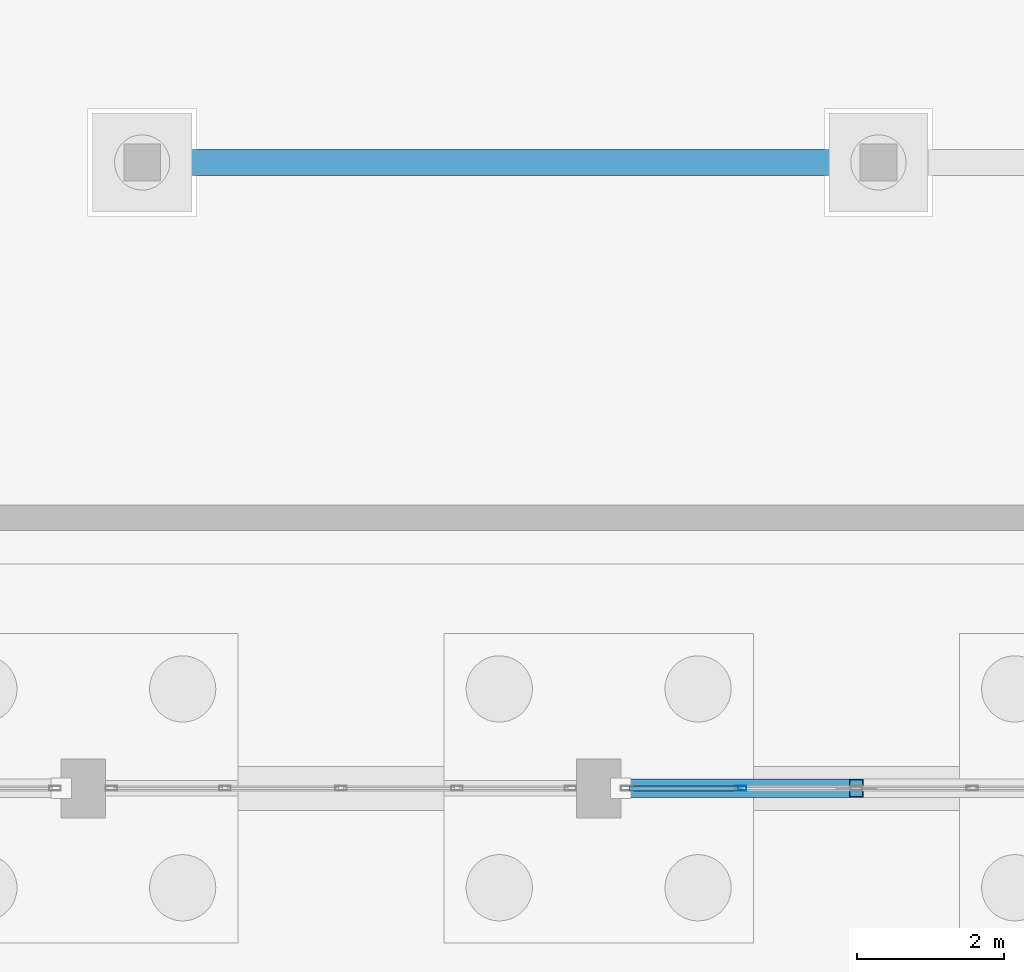
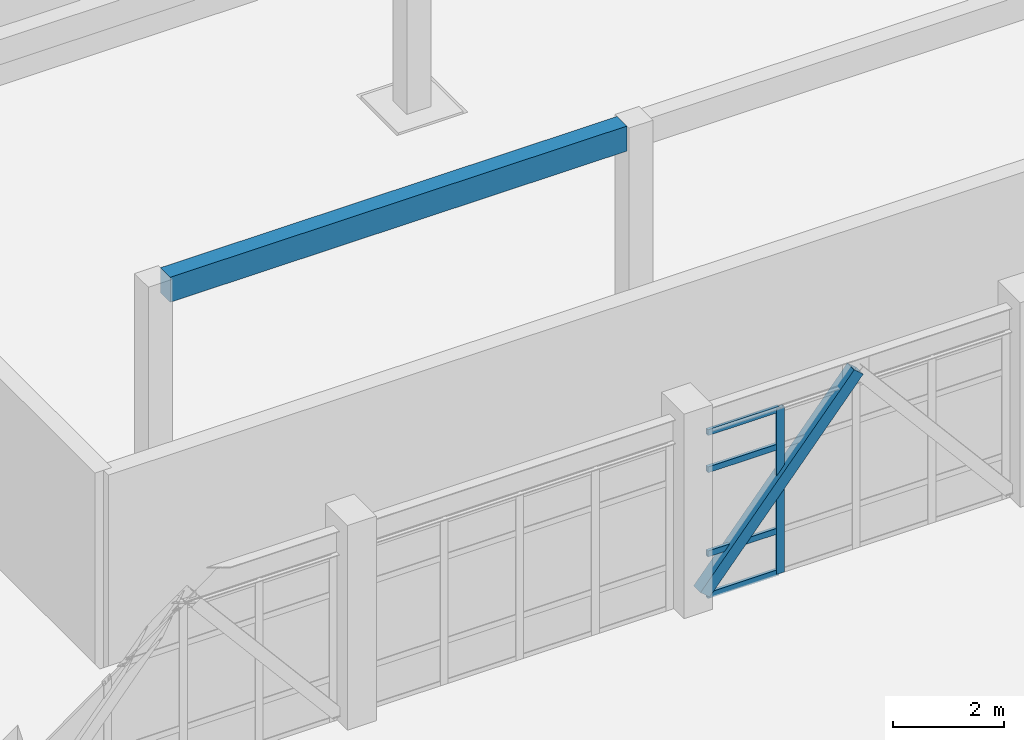
# One storey, part 24 of 154: 6 members, 1 beam, 1 element without a shape of its own.
"""IFC4 building model written with IfcOpenShell, lengths in metres."""

from ifc_helpers import new_model, si_unit, direction, frame, origin, origin_2d, place, context, subcontext, project, spatial, rectangle, hollow_rectangle, extrude, material, material_profile, profile_set, type_object, element, aggregate, save


model = new_model("IFC4")

# Units and contexts
model_context = context("Model", 3, precision=1e-05, world=origin(), true_north=direction((0.0, 1.0)))
body_context = subcontext(model_context, "Body", "Model", "MODEL_VIEW")
ifc_project = project(units=[si_unit("LENGTHUNIT", "METRE"), si_unit("AREAUNIT", "SQUARE_METRE"), si_unit("VOLUMEUNIT", "CUBIC_METRE"), si_unit("PLANEANGLEUNIT", "RADIAN"), si_unit("MASSUNIT", "GRAM", prefix="KILO")], contexts=[model_context])

# Site, building, storey
site_placement = place(None, origin())
site = spatial("IfcSite", under=ifc_project, at=site_placement, CompositionType="ELEMENT")
building_placement = place(site_placement, origin())
building = spatial("IfcBuilding", under=site, at=building_placement, Name="Kestramere Prow Commons", CompositionType="ELEMENT")
storey_placement = place(building_placement, origin())
storey = spatial("IfcBuildingStorey", under=building, at=storey_placement, Name="L00", CompositionType="ELEMENT", Elevation=0.0)

# Beam
ifc_material_1 = material(Name="Precast concrete C40/50", Category="concrete")
ifc_material_profile_1 = material_profile(ifc_material_1, rectangle(XDim=0.35009765625, YDim=0.550048828125, at=origin_2d()), Name="PC-BM 350x550")
ifc_profile_set_1 = profile_set([ifc_material_profile_1], Name="Precast concrete C40/50")
beam_type = type_object("IfcBeamType", Name="BM-C1 PC-BM 350x550", PredefinedType="BEAM", material=ifc_profile_set_1)
beam_placement = place(storey_placement, frame((24.25, 52.0, 3.925048828125), z_axis=(1.0, 0.0, 0.0), x_axis=(0.0, 1.0, 0.0)))
element("IfcBeam", 1, at=beam_placement, inside=storey, type_object=beam_type, Name="Courtyard Support Girder 52-1", PredefinedType="BEAM", context=body_context, shape_type="SweptSolid", body=[
    extrude(rectangle(XDim=0.35009765625, YDim=0.550048828125, at=origin_2d()), origin(), (0.0, 0.0, 1.0), 9.5),
])

# Member
ifc_material_2 = material(Name="Steel S355JR", Category="steel")
ifc_material_profile_2 = material_profile(ifc_material_2, hollow_rectangle(XDim=0.25, YDim=0.25, WallThickness=0.012451171875, at=origin_2d()), Name="SHS 250x250x12.5")
ifc_profile_set_2 = profile_set([ifc_material_profile_2], Name="Steel S355JR")
member_type_1 = type_object("IfcMemberType", Name="BRHL-01 SHS 250x250x12.5", PredefinedType="BRACE", material=ifc_profile_set_2)
member_1_placement = place(storey_placement, frame((30.5, 43.5, 0.14990234375), z_axis=(0.645774370013, 0.0, 0.763528298778), x_axis=(0.0, 1.0, 0.0)))
element("IfcMember", 2, at=member_1_placement, inside=storey, type_object=member_type_1, Name="Community Hall Flank Diagonal Brace L00-5L", PredefinedType="BRACE", context=body_context, shape_type="SweptSolid", body=[
    extrude(hollow_rectangle(XDim=0.25, YDim=0.25, WallThickness=0.012451171875, at=origin_2d()), origin(), (0.0, 0.0, 1.0), 4.955322265625),
])

# Curtain wall, members
ifc_material_3 = material(Name="Anodised Aluminium and Low-E Glass", Category="aluminium")
curtain_wall_type = type_object("IfcCurtainWallType", Name="CW-11 Glazed Curtain Wall 6300x3650", PredefinedType="USERDEFINED", material=ifc_material_3)
curtain_wall_placement = place(storey_placement, origin())
curtain_wall = element("IfcCurtainWall", 3, at=curtain_wall_placement, inside=storey, type_object=curtain_wall_type, Name="Hall North Courtyard Curtain Wall L00-5", ObjectType="GLAZED CURTAIN WALL", PredefinedType="USERDEFINED")
ifc_material_4 = material(Name="Anodised Aluminium 6063-T6", Category="aluminium")
ifc_material_profile_3 = material_profile(ifc_material_4, hollow_rectangle(XDim=0.06494140625, YDim=0.159912109375, WallThickness=0.00390625, at=origin_2d()), Name="ALU-MUL 65x160")
ifc_profile_set_3 = profile_set([ifc_material_profile_3], Name="Anodised Aluminium 6063-T6")
member_type_2 = type_object("IfcMemberType", Name="CW-MUL-65x160", PredefinedType="MULLION", material=ifc_profile_set_3)
member_2_placement = place(storey_placement, frame((32.125, 43.5, 0.0), z_axis=(0.0, 0.0, 1.0), x_axis=(0.0, 1.0, 0.0)))
member_2 = element("IfcMember", 4, at=member_2_placement, type_object=member_type_2, Name="CW-11 mullion 2", PredefinedType="MULLION", context=body_context, shape_type="SweptSolid", body=[
    extrude(hollow_rectangle(XDim=0.06494140625, YDim=0.159912109375, WallThickness=0.00390625, at=origin_2d()), origin(), (0.0, 0.0, 1.0), 3.64990234375),
])
ifc_material_profile_4 = material_profile(ifc_material_4, hollow_rectangle(XDim=0.06494140625, YDim=0.1298828125, WallThickness=0.00390625, at=origin_2d()), Name="ALU-TRN 65x130")
ifc_profile_set_4 = profile_set([ifc_material_profile_4], Name="Anodised Aluminium 6063-T6")
member_type_3 = type_object("IfcMemberType", Name="CW-TRN-65x130", PredefinedType="USERDEFINED", material=ifc_profile_set_4)
member_3_placement = place(storey_placement, frame((30.614990234375, 43.5, 0.032470703125), z_axis=(1.0, 0.0, 0.0), x_axis=(0.0, 1.0, 0.0)))
member_3 = element("IfcMember", 5, at=member_3_placement, type_object=member_type_3, Name="CW-11 transom 1.1", ObjectType="TRANSOM", PredefinedType="USERDEFINED", context=body_context, shape_type="SweptSolid", body=[
    extrude(hollow_rectangle(XDim=0.06494140625, YDim=0.1298828125, WallThickness=0.00390625, at=origin_2d()), origin(), (0.0, 0.0, 1.0), 1.4775390625),
])
member_4_placement = place(storey_placement, frame((30.614990234375, 43.5, 0.949951171875), z_axis=(1.0, 0.0, 0.0), x_axis=(0.0, 1.0, 0.0)))
member_4 = element("IfcMember", 6, at=member_4_placement, type_object=member_type_3, Name="CW-11 transom 1.2", ObjectType="TRANSOM", PredefinedType="USERDEFINED", context=body_context, shape_type="SweptSolid", body=[
    extrude(hollow_rectangle(XDim=0.06494140625, YDim=0.1298828125, WallThickness=0.00390625, at=origin_2d()), origin(), (0.0, 0.0, 1.0), 1.4775390625),
])
member_5_placement = place(storey_placement, frame((30.614990234375, 43.5, 2.800048828125), z_axis=(1.0, 0.0, 0.0), x_axis=(0.0, 1.0, 0.0)))
member_5 = element("IfcMember", 7, at=member_5_placement, type_object=member_type_3, Name="CW-11 transom 1.3", ObjectType="TRANSOM", PredefinedType="USERDEFINED", context=body_context, shape_type="SweptSolid", body=[
    extrude(hollow_rectangle(XDim=0.06494140625, YDim=0.1298828125, WallThickness=0.00390625, at=origin_2d()), origin(), (0.0, 0.0, 1.0), 1.4775390625),
])
member_6_placement = place(storey_placement, frame((30.614990234375, 43.5, 3.617431640625), z_axis=(1.0, 0.0, 0.0), x_axis=(0.0, 1.0, 0.0)))
member_6 = element("IfcMember", 8, at=member_6_placement, type_object=member_type_3, Name="CW-11 transom 1.4", ObjectType="TRANSOM", PredefinedType="USERDEFINED", context=body_context, shape_type="SweptSolid", body=[
    extrude(hollow_rectangle(XDim=0.06494140625, YDim=0.1298828125, WallThickness=0.00390625, at=origin_2d()), origin(), (0.0, 0.0, 1.0), 1.4775390625),
])
aggregate(curtain_wall, [member_2, member_3, member_4, member_5, member_6])

save(model, "model.ifc")
